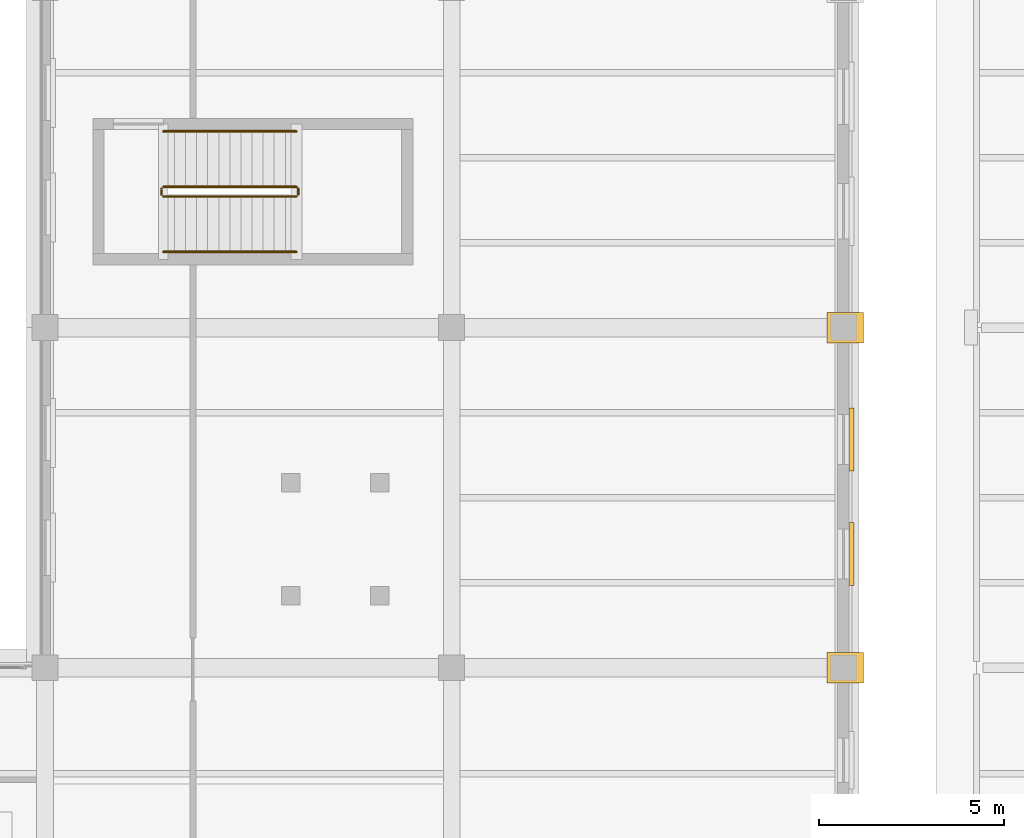
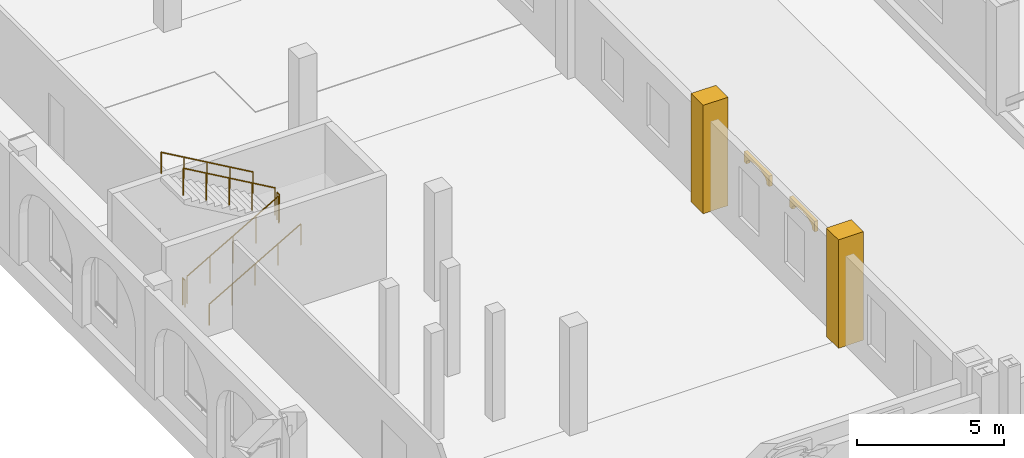
# One storey, part 144 of 156: 6 railings, 4 coverings.
"""IFC4 building model written with IfcOpenShell, lengths in metres."""

from ifc_helpers import new_model, si_unit, direction, frame, origin, origin_2d, place, context, subcontext, project, spatial, polyline, rectangle, circle, outline, extrude, material, layer, layer_set, type_object, element, save


model = new_model("IFC4")

# Units and contexts
model_context = context("Model", 3, precision=1e-05, world=origin(), true_north=direction((0.0, 1.0)))
body_context = subcontext(model_context, "Body", "Model", "MODEL_VIEW")
ifc_project = project(units=[si_unit("LENGTHUNIT", "METRE"), si_unit("AREAUNIT", "SQUARE_METRE"), si_unit("VOLUMEUNIT", "CUBIC_METRE"), si_unit("PLANEANGLEUNIT", "RADIAN"), si_unit("MASSUNIT", "GRAM", prefix="KILO")], contexts=[model_context])

# Site, building, storey
site_placement = place(None, origin())
site = spatial("IfcSite", under=ifc_project, at=site_placement, CompositionType="ELEMENT")
building_placement = place(site_placement, origin())
building = spatial("IfcBuilding", under=site, at=building_placement, Name="Caurita Quay Ferry Terminal", CompositionType="ELEMENT")
storey_placement = place(building_placement, frame((0.0, 0.0, 5.39990234375)))
storey = spatial("IfcBuildingStorey", under=building, at=storey_placement, Name="L01", CompositionType="ELEMENT", Elevation=5.39990234375)

# Coverings
ifc_material_1 = material(Name="Warm-white lime stucco masonry", Category="masonry")
ifc_layer_1 = layer(ifc_material_1, 0.179931640625, Name="Classical engaged lime-stucco facade pilaster cladding 180 mm")
ifc_layer_set_1 = layer_set([ifc_layer_1], Name="Warm-white lime stucco masonry")
covering_type_1 = type_object("IfcCoveringType", Name="COV-PIL-CLD", PredefinedType="CLADDING", material=ifc_layer_set_1)
for number, where, z_axis, x_axis, name in (
    (1, (87.64990234375, 80.199951171875, 0.0), (0.0, 0.0, 1.0), (1.0, 0.0, 0.0), "L01 Classical Engaged Pilaster 0397"),
    (2, (87.64990234375, 89.39990234375, 0.0), (0.0, 0.0, 1.0), (1.0, 0.0, 0.0), "L01 Classical Engaged Pilaster 0399"),
):
    element("IfcCovering", number, at=place(storey_placement, frame(where, z_axis=z_axis, x_axis=x_axis)), inside=storey, type_object=covering_type_1, Name=name, PredefinedType="CLADDING", context=body_context, shape_type="SweptSolid", body=[
        extrude(rectangle(XDim=0.97998046875, YDim=0.820068359375, at=origin_2d()), origin(), (0.0, 0.0, 1.0), 4.5),
    ])
ifc_material_2 = material(Name="Coral stone ashlar cladding", Category="masonry")
ifc_layer_2 = layer(ifc_material_2, 0.139892578125, Name="Spanish Colonial semicircular arched window surround 140 mm")
ifc_layer_set_2 = layer_set([ifc_layer_2], Name="Coral stone ashlar cladding")
covering_type_2 = type_object("IfcCoveringType", Name="COV-WHD-MLD", PredefinedType="MOLDING", material=ifc_layer_set_2)
for number, where, z_axis, x_axis, name in (
    (3, (87.81494140625, 82.419921875, 3.030029296875), (0.0, 0.0, 1.0), (0.0, 1.0, 0.0), "L01 Arched Window Surround 083"),
    (4, (87.81494140625, 85.52001953125, 3.030029296875), (0.0, 0.0, 1.0), (0.0, 1.0, 0.0), "L01 Arched Window Surround 084"),
):
    element("IfcCovering", number, at=place(storey_placement, frame(where, z_axis=z_axis, x_axis=x_axis)), inside=storey, type_object=covering_type_2, Name=name, PredefinedType="MOLDING", context=body_context, shape_type="SweptSolid", body=[
        extrude(outline(polyline([(0.0, 0.0), (0.159912109375, 0.0), (0.159912109375, 0.0400390625), (0.194091796875, 0.136474609375), (0.292724609375, 0.223388671875), (0.446533203125, 0.29248046875), (0.64013671875, 0.336669921875), (0.85498046875, 0.35205078125), (1.06982421875, 0.336669921875), (1.263427734375, 0.29248046875), (1.417236328125, 0.223388671875), (1.515869140625, 0.136474609375), (1.550048828125, 0.0400390625), (1.550048828125, 0.0), (1.7099609375, 0.0), (1.7099609375, 0.43212890625), (0.0, 0.43212890625), (0.0, 0.0)])), frame((0.0, 0.06982421875, 0.0), z_axis=(0.0, -1.0, 0.0), x_axis=(1.0, 0.0, 0.0)), (0.0, 0.0, 1.0), 0.139892578125),
    ])

# Railings
ifc_material_3 = material(Name="Bronze architectural metalwork", Category="metal")
railing_type_1 = type_object("IfcRailingType", Name="RL-HND-090", PredefinedType="HANDRAIL", material=ifc_material_3)
railing_1_placement = place(storey_placement, frame((69.199951171875, 91.449951171875, 0.173095703125)))
element("IfcRailing", 5, at=railing_1_placement, inside=storey, type_object=railing_type_1, Name="L01 ST-04 stair handrail 1", PredefinedType="HANDRAIL", context=body_context, shape_type="SweptSolid", body=[
    extrude(circle(Radius=0.02392578125, at=origin_2d()), frame((0.0, 0.0, 0.8759765625), z_axis=(0.866193409371, 0.0, 0.499708892819), x_axis=(0.0, 1.0, 0.0)), (0.0, 0.0, 1.0), 4.15625),
    extrude(circle(Radius=0.02099609375, at=origin_2d()), origin(), (0.0, 0.0, 1.0), 0.851806640625),
    extrude(circle(Radius=0.02099609375, at=origin_2d()), frame((0.89990234375, 0.0, 0.519287109375)), (0.0, 0.0, 1.0), 0.851806640625),
    extrude(circle(Radius=0.02099609375, at=origin_2d()), frame((1.800048828125, 0.0, 1.03857421875)), (0.0, 0.0, 1.0), 0.851806640625),
    extrude(circle(Radius=0.02099609375, at=origin_2d()), frame((2.7001953125, 0.0, 1.5576171875)), (0.0, 0.0, 1.0), 0.851806640625),
    extrude(circle(Radius=0.02099609375, at=origin_2d()), frame((3.60009765625, 0.0, 2.076904296875)), (0.0, 0.0, 1.0), 0.851806640625),
])
railing_2_placement = place(storey_placement, frame((72.800048828125, 94.7099609375, 2.423095703125)))
element("IfcRailing", 6, at=railing_2_placement, inside=storey, type_object=railing_type_1, Name="L01 ST-04 stair handrail 2", PredefinedType="HANDRAIL", context=body_context, shape_type="SweptSolid", body=[
    extrude(circle(Radius=0.02392578125, at=origin_2d()), frame((0.0, 0.0, 0.8759765625), z_axis=(-0.866193409371, 0.0, 0.499708892819), x_axis=(0.0, -1.0, 0.0)), (0.0, 0.0, 1.0), 4.15625),
    extrude(circle(Radius=0.02099609375, at=origin_2d()), origin(), (0.0, 0.0, 1.0), 0.851806640625),
    extrude(circle(Radius=0.02099609375, at=origin_2d()), frame((-0.89990234375, 0.0, 0.519287109375)), (0.0, 0.0, 1.0), 0.851806640625),
    extrude(circle(Radius=0.02099609375, at=origin_2d()), frame((-1.800048828125, 0.0, 1.03857421875)), (0.0, 0.0, 1.0), 0.851806640625),
    extrude(circle(Radius=0.02099609375, at=origin_2d()), frame((-2.7001953125, 0.0, 1.5576171875)), (0.0, 0.0, 1.0), 0.851806640625),
    extrude(circle(Radius=0.02099609375, at=origin_2d()), frame((-3.60009765625, 0.0, 2.076904296875)), (0.0, 0.0, 1.0), 0.851806640625),
])
railing_type_2 = type_object("IfcRailingType", Name="RL-REJA-115", PredefinedType="BALUSTRADE", material=ifc_material_3)
railing_3_placement = place(storey_placement, frame((69.199951171875, 92.949951171875, 0.173095703125)))
element("IfcRailing", 7, at=railing_3_placement, inside=storey, type_object=railing_type_2, Name="L01 ST-04 stair guard 1", PredefinedType="BALUSTRADE", context=body_context, shape_type="SweptSolid", body=[
    extrude(circle(Radius=0.02392578125, at=origin_2d()), frame((0.0, 0.0, 1.1259765625), z_axis=(0.866193409371, 0.0, 0.499708892819), x_axis=(0.0, 1.0, 0.0)), (0.0, 0.0, 1.0), 4.15625),
    extrude(circle(Radius=0.02099609375, at=origin_2d()), origin(), (0.0, 0.0, 1.0), 1.101806640625),
    extrude(circle(Radius=0.02099609375, at=origin_2d()), frame((0.89990234375, 0.0, 0.519287109375)), (0.0, 0.0, 1.0), 1.101806640625),
    extrude(circle(Radius=0.02099609375, at=origin_2d()), frame((1.800048828125, 0.0, 1.03857421875)), (0.0, 0.0, 1.0), 1.101806640625),
    extrude(circle(Radius=0.02099609375, at=origin_2d()), frame((2.7001953125, 0.0, 1.5576171875)), (0.0, 0.0, 1.0), 1.101806640625),
    extrude(circle(Radius=0.02099609375, at=origin_2d()), frame((3.60009765625, 0.0, 2.076904296875)), (0.0, 0.0, 1.0), 1.101806640625),
])
railing_4_placement = place(storey_placement, frame((72.85009765625, 93.0, 2.25)))
element("IfcRailing", 8, at=railing_4_placement, inside=storey, type_object=railing_type_2, Name="L01 ST-04 stair guard 2", PredefinedType="BALUSTRADE", context=body_context, shape_type="SweptSolid", body=[
    extrude(circle(Radius=0.02392578125, at=origin_2d()), frame((0.0, 0.0, 1.1259765625), z_axis=(0.0, 1.0, 0.0), x_axis=(-1.0, 0.0, 0.0)), (0.0, 0.0, 1.0), 0.159912109375),
    extrude(circle(Radius=0.02099609375, at=origin_2d()), origin(), (0.0, 0.0, 1.0), 1.101806640625),
    extrude(circle(Radius=0.02099609375, at=origin_2d()), frame((0.0, 0.159912109375, 0.0)), (0.0, 0.0, 1.0), 1.101806640625),
])
railing_5_placement = place(storey_placement, frame((72.800048828125, 93.2099609375, 2.423095703125)))
element("IfcRailing", 9, at=railing_5_placement, inside=storey, type_object=railing_type_2, Name="L01 ST-04 stair guard 3", PredefinedType="BALUSTRADE", context=body_context, shape_type="SweptSolid", body=[
    extrude(circle(Radius=0.02392578125, at=origin_2d()), frame((0.0, 0.0, 1.1259765625), z_axis=(-0.866193409371, 0.0, 0.499708892819), x_axis=(0.0, -1.0, 0.0)), (0.0, 0.0, 1.0), 4.15625),
    extrude(circle(Radius=0.02099609375, at=origin_2d()), origin(), (0.0, 0.0, 1.0), 1.101806640625),
    extrude(circle(Radius=0.02099609375, at=origin_2d()), frame((-0.89990234375, 0.0, 0.519287109375)), (0.0, 0.0, 1.0), 1.101806640625),
    extrude(circle(Radius=0.02099609375, at=origin_2d()), frame((-1.800048828125, 0.0, 1.03857421875)), (0.0, 0.0, 1.0), 1.101806640625),
    extrude(circle(Radius=0.02099609375, at=origin_2d()), frame((-2.7001953125, 0.0, 1.5576171875)), (0.0, 0.0, 1.0), 1.101806640625),
    extrude(circle(Radius=0.02099609375, at=origin_2d()), frame((-3.60009765625, 0.0, 2.076904296875)), (0.0, 0.0, 1.0), 1.101806640625),
])
railing_6_placement = place(storey_placement, frame((69.14990234375, 93.0, 0.0)))
element("IfcRailing", 10, at=railing_6_placement, inside=storey, type_object=railing_type_2, Name="L01 ST-04 stair guard 4", PredefinedType="BALUSTRADE", context=body_context, shape_type="SweptSolid", body=[
    extrude(circle(Radius=0.02392578125, at=origin_2d()), frame((0.0, 0.0, 1.1259765625), z_axis=(0.0, 1.0, 0.0), x_axis=(-1.0, 0.0, 0.0)), (0.0, 0.0, 1.0), 0.159912109375),
    extrude(circle(Radius=0.02099609375, at=origin_2d()), origin(), (0.0, 0.0, 1.0), 1.101806640625),
    extrude(circle(Radius=0.02099609375, at=origin_2d()), frame((0.0, 0.159912109375, 0.0)), (0.0, 0.0, 1.0), 1.101806640625),
])

save(model, "model.ifc")
